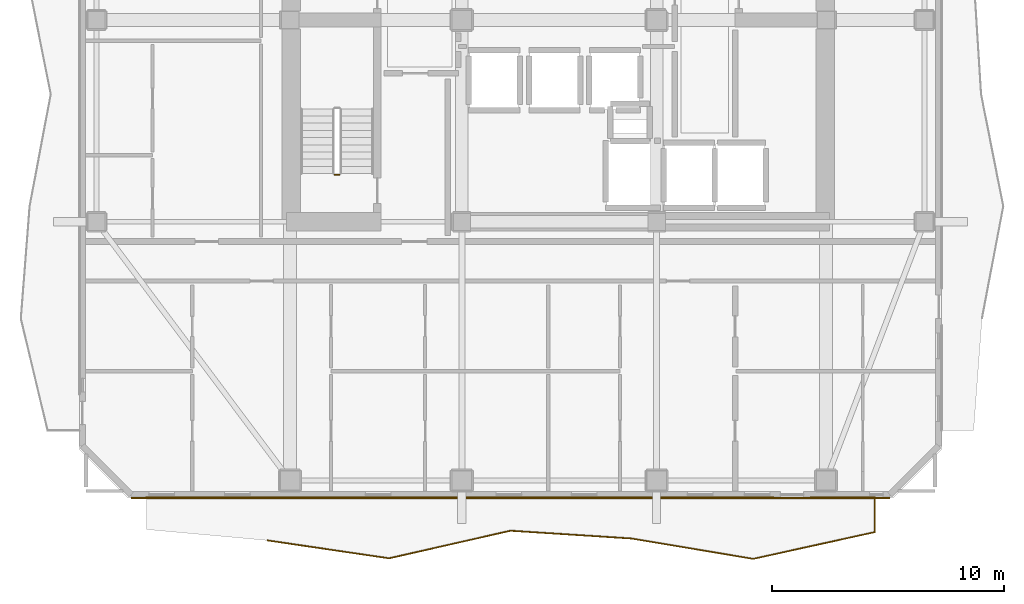
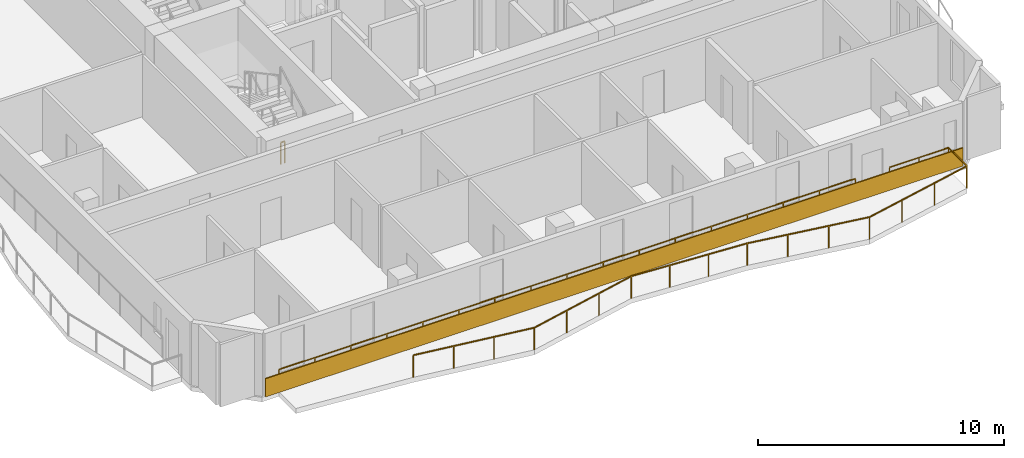
# One storey, part 7 of 10: 3 railings, 1 covering.
"""IFC4 building model written with IfcOpenShell, lengths in metres."""

from ifc_helpers import new_model, si_unit, direction, frame, frame_2d, origin, origin_2d, place, context, subcontext, project, spatial, rectangle, extrude, material, layer, layer_set, type_object, element, save


model = new_model("IFC4")

# Units and contexts
model_context = context("Model", 3, precision=1e-05, world=origin(), true_north=direction((0.0, 1.0)))
body_context = subcontext(model_context, "Body", "Model", "MODEL_VIEW")
ifc_project = project(units=[si_unit("LENGTHUNIT", "METRE"), si_unit("AREAUNIT", "SQUARE_METRE"), si_unit("VOLUMEUNIT", "CUBIC_METRE"), si_unit("PLANEANGLEUNIT", "RADIAN"), si_unit("MASSUNIT", "GRAM", prefix="KILO")], contexts=[model_context])

# Site, building, storey
site_placement = place(None, origin())
site = spatial("IfcSite", under=ifc_project, at=site_placement, CompositionType="ELEMENT")
building_placement = place(site_placement, origin())
building = spatial("IfcBuilding", under=site, at=building_placement, Name="Solanera Arch Residences", CompositionType="ELEMENT")
storey_placement = place(building_placement, frame((0.0, 0.0, 196.800048828125)))
storey = spatial("IfcBuildingStorey", under=building, at=storey_placement, Name="L57", CompositionType="ELEMENT", Elevation=196.800048828125)

# Railings
ifc_material_1 = material(Name="Steel S355 (ASTM A992 / A572 Grade 50)", Category="steel")
railing_type_1 = type_object("IfcRailingType", Name="Balustrade Railing BL-1100", PredefinedType="BALUSTRADE", material=ifc_material_1)
railing_1_placement = place(storey_placement, frame((12.43310546875, 8.261962890625, 0.0)))
element("IfcRailing", 1, at=railing_1_placement, inside=storey, type_object=railing_type_1, Name="L57 S Balcony Balustrade 1", PredefinedType="BALUSTRADE", context=body_context, shape_type="SweptSolid", body=[
    extrude(rectangle(XDim=0.048095703125, YDim=0.048095703125, at=origin_2d()), frame((0.0, 0.0, 1.09619140625), z_axis=(0.989323547142, -0.145735785142, 0.0), x_axis=(0.145735785142, 0.989323547142, 0.0)), (0.0, 0.0, 1.0), 5.290283203125),
    extrude(rectangle(XDim=0.048095703125, YDim=0.048095703125, at=origin_2d()), frame((5.23388671875, -0.77099609375, 1.09619140625), z_axis=(0.975106929466, 0.221735148559, 0.0), x_axis=(-0.221735148559, 0.975106929466, 0.0)), (0.0, 0.0, 1.0), 5.366455078125),
    extrude(rectangle(XDim=0.048095703125, YDim=0.048095703125, at=origin_2d()), frame((10.466796875, 0.4189453125, 1.09619140625), z_axis=(0.997933983965, -0.064247674265, 0.0), x_axis=(0.064247674265, 0.997933983965, 0.0)), (0.0, 0.0, 1.0), 5.243896484375),
    extrude(rectangle(XDim=0.048095703125, YDim=0.048095703125, at=origin_2d()), frame((15.699951171875, 0.08203125, 1.09619140625), z_axis=(0.986281788233, -0.165070391649, 0.0), x_axis=(0.165070391649, 0.986281788233, 0.0)), (0.0, 0.0, 1.0), 5.306640625),
    extrude(rectangle(XDim=0.048095703125, YDim=0.048095703125, at=origin_2d()), frame((20.933837890625, -0.7939453125, 1.09619140625), z_axis=(0.976574624014, 0.215179003929, 0.0), x_axis=(-0.215179003929, 0.976574624014, 0.0)), (0.0, 0.0, 1.0), 5.358642578125),
    extrude(rectangle(XDim=0.048095703125, YDim=0.048095703125, at=origin_2d()), frame((26.1669921875, 0.359130859375, 1.09619140625), z_axis=(0.0, 1.0, 0.0), x_axis=(-1.0, 0.0, 0.0)), (0.0, 0.0, 1.0), 1.4990234375),
    extrude(rectangle(XDim=0.048095703125, YDim=0.048095703125, at=origin_2d()), frame((26.1669921875, 1.858154296875, 1.09619140625), z_axis=(-1.0, 0.0, 0.0), x_axis=(0.0, -1.0, 0.0)), (0.0, 0.0, 1.0), 2.76611328125),
    extrude(rectangle(XDim=0.0419921875, YDim=0.0419921875, at=origin_2d()), origin(), (0.0, 0.0, 1.0), 1.072021484375),
    extrude(rectangle(XDim=0.0419921875, YDim=0.0419921875, at=origin_2d()), frame((1.74462890625, -0.257080078125, 0.0)), (0.0, 0.0, 1.0), 1.072021484375),
    extrude(rectangle(XDim=0.0419921875, YDim=0.0419921875, at=origin_2d()), frame((3.4892578125, -0.513916015625, 0.0)), (0.0, 0.0, 1.0), 1.072021484375),
    extrude(rectangle(XDim=0.0419921875, YDim=0.0419921875, at=origin_2d()), frame((5.23388671875, -0.77099609375, 0.0)), (0.0, 0.0, 1.0), 1.072021484375),
    extrude(rectangle(XDim=0.0419921875, YDim=0.0419921875, at=origin_2d()), frame((6.978271484375, -0.374267578125, 0.0)), (0.0, 0.0, 1.0), 1.072021484375),
    extrude(rectangle(XDim=0.0419921875, YDim=0.0419921875, at=origin_2d()), frame((8.722412109375, 0.022216796875, 0.0)), (0.0, 0.0, 1.0), 1.072021484375),
    extrude(rectangle(XDim=0.0419921875, YDim=0.0419921875, at=origin_2d()), frame((10.466796875, 0.4189453125, 0.0)), (0.0, 0.0, 1.0), 1.072021484375),
    extrude(rectangle(XDim=0.0419921875, YDim=0.0419921875, at=origin_2d()), frame((12.211181640625, 0.306640625, 0.0)), (0.0, 0.0, 1.0), 1.072021484375),
    extrude(rectangle(XDim=0.0419921875, YDim=0.0419921875, at=origin_2d()), frame((13.95556640625, 0.1943359375, 0.0)), (0.0, 0.0, 1.0), 1.072021484375),
    extrude(rectangle(XDim=0.0419921875, YDim=0.0419921875, at=origin_2d()), frame((15.699951171875, 0.08203125, 0.0)), (0.0, 0.0, 1.0), 1.072021484375),
    extrude(rectangle(XDim=0.0419921875, YDim=0.0419921875, at=origin_2d()), frame((17.444580078125, -0.2099609375, 0.0)), (0.0, 0.0, 1.0), 1.072021484375),
    extrude(rectangle(XDim=0.0419921875, YDim=0.0419921875, at=origin_2d()), frame((19.189208984375, -0.501953125, 0.0)), (0.0, 0.0, 1.0), 1.072021484375),
    extrude(rectangle(XDim=0.0419921875, YDim=0.0419921875, at=origin_2d()), frame((20.933837890625, -0.7939453125, 0.0)), (0.0, 0.0, 1.0), 1.072021484375),
    extrude(rectangle(XDim=0.0419921875, YDim=0.0419921875, at=origin_2d()), frame((22.67822265625, -0.40966796875, 0.0)), (0.0, 0.0, 1.0), 1.072021484375),
    extrude(rectangle(XDim=0.0419921875, YDim=0.0419921875, at=origin_2d()), frame((24.422607421875, -0.025146484375, 0.0)), (0.0, 0.0, 1.0), 1.072021484375),
    extrude(rectangle(XDim=0.0419921875, YDim=0.0419921875, at=origin_2d()), frame((26.1669921875, 0.359130859375, 0.0)), (0.0, 0.0, 1.0), 1.072021484375),
    extrude(rectangle(XDim=0.0419921875, YDim=0.0419921875, at=origin_2d()), frame((26.1669921875, 1.858154296875, 0.0)), (0.0, 0.0, 1.0), 1.072021484375),
    extrude(rectangle(XDim=0.0419921875, YDim=0.0419921875, at=origin_2d()), frame((24.783935546875, 1.858154296875, 0.0)), (0.0, 0.0, 1.0), 1.072021484375),
    extrude(rectangle(XDim=0.0419921875, YDim=0.0419921875, at=origin_2d()), frame((23.40087890625, 1.858154296875, 0.0)), (0.0, 0.0, 1.0), 1.072021484375),
])
railing_2_placement = place(storey_placement, frame((34.23388671875, 10.1201171875, 0.0)))
element("IfcRailing", 2, at=railing_2_placement, inside=storey, type_object=railing_type_1, Name="L57 S Balcony Balustrade 2", PredefinedType="BALUSTRADE", context=body_context, shape_type="SweptSolid", body=[
    extrude(rectangle(XDim=0.048095703125, YDim=0.048095703125, at=origin_2d()), frame((0.0, 0.0, 1.09619140625), z_axis=(-1.0, 0.0, 0.0), x_axis=(0.0, -1.0, 0.0)), (0.0, 0.0, 1.0), 27.033935546875),
    extrude(rectangle(XDim=0.0419921875, YDim=0.0419921875, at=origin_2d()), origin(), (0.0, 0.0, 1.0), 1.072021484375),
    extrude(rectangle(XDim=0.0419921875, YDim=0.0419921875, at=origin_2d()), frame((-1.689697265625, 0.0, 0.0)), (0.0, 0.0, 1.0), 1.072021484375),
    extrude(rectangle(XDim=0.0419921875, YDim=0.0419921875, at=origin_2d()), frame((-3.379150390625, 0.0, 0.0)), (0.0, 0.0, 1.0), 1.072021484375),
    extrude(rectangle(XDim=0.0419921875, YDim=0.0419921875, at=origin_2d()), frame((-5.06884765625, 0.0, 0.0)), (0.0, 0.0, 1.0), 1.072021484375),
    extrude(rectangle(XDim=0.0419921875, YDim=0.0419921875, at=origin_2d()), frame((-6.758544921875, 0.0, 0.0)), (0.0, 0.0, 1.0), 1.072021484375),
    extrude(rectangle(XDim=0.0419921875, YDim=0.0419921875, at=origin_2d()), frame((-8.447998046875, 0.0, 0.0)), (0.0, 0.0, 1.0), 1.072021484375),
    extrude(rectangle(XDim=0.0419921875, YDim=0.0419921875, at=origin_2d()), frame((-10.1376953125, 0.0, 0.0)), (0.0, 0.0, 1.0), 1.072021484375),
    extrude(rectangle(XDim=0.0419921875, YDim=0.0419921875, at=origin_2d()), frame((-11.827392578125, 0.0, 0.0)), (0.0, 0.0, 1.0), 1.072021484375),
    extrude(rectangle(XDim=0.0419921875, YDim=0.0419921875, at=origin_2d()), frame((-13.51708984375, 0.0, 0.0)), (0.0, 0.0, 1.0), 1.072021484375),
    extrude(rectangle(XDim=0.0419921875, YDim=0.0419921875, at=origin_2d()), frame((-15.20654296875, 0.0, 0.0)), (0.0, 0.0, 1.0), 1.072021484375),
    extrude(rectangle(XDim=0.0419921875, YDim=0.0419921875, at=origin_2d()), frame((-16.896240234375, 0.0, 0.0)), (0.0, 0.0, 1.0), 1.072021484375),
    extrude(rectangle(XDim=0.0419921875, YDim=0.0419921875, at=origin_2d()), frame((-18.5859375, 0.0, 0.0)), (0.0, 0.0, 1.0), 1.072021484375),
    extrude(rectangle(XDim=0.0419921875, YDim=0.0419921875, at=origin_2d()), frame((-20.275390625, 0.0, 0.0)), (0.0, 0.0, 1.0), 1.072021484375),
    extrude(rectangle(XDim=0.0419921875, YDim=0.0419921875, at=origin_2d()), frame((-21.965087890625, 0.0, 0.0)), (0.0, 0.0, 1.0), 1.072021484375),
    extrude(rectangle(XDim=0.0419921875, YDim=0.0419921875, at=origin_2d()), frame((-23.65478515625, 0.0, 0.0)), (0.0, 0.0, 1.0), 1.072021484375),
    extrude(rectangle(XDim=0.0419921875, YDim=0.0419921875, at=origin_2d()), frame((-25.34423828125, 0.0, 0.0)), (0.0, 0.0, 1.0), 1.072021484375),
    extrude(rectangle(XDim=0.0419921875, YDim=0.0419921875, at=origin_2d()), frame((-27.033935546875, 0.0, 0.0)), (0.0, 0.0, 1.0), 1.072021484375),
])

# Covering
ifc_material_2 = material(Name="Philippine Adobe Travertine Cladding", Category="masonry")
ifc_layer = layer(ifc_material_2, 0.06005859375)
ifc_layer_set = layer_set([ifc_layer], Name="Philippine Adobe Travertine Cladding")
covering_type = type_object("IfcCoveringType", Name="Precast Pier Stone Cladding CLD-60", PredefinedType="CLADDING", material=ifc_layer_set)
covering_placement = place(storey_placement, frame((39.2548828125, 10.0849609375, 0.0), z_axis=(0.0, 0.0, 1.0), x_axis=(-1.0, 0.0, 0.0)))
element("IfcCovering", 3, at=covering_placement, inside=storey, type_object=covering_type, Name="L57 S Precast Spandrel Stone Band", PredefinedType="CLADDING", context=body_context, shape_type="SweptSolid", body=[
    extrude(rectangle(XDim=32.7099609375, YDim=0.06005859375, at=frame_2d((16.35498046875, 0.0))), origin(), (0.0, 0.0, 1.0), 0.89990234375),
])

# Railing
ifc_material_3 = material(Name="Steel S355 (ASTM A992 / A572 Grade 50)", Category="steel")
railing_type_2 = type_object("IfcRailingType", Name="Stair Guardrail GR-1100", PredefinedType="GUARDRAIL", material=ifc_material_3)
railing_3_placement = place(storey_placement, frame((15.52001953125, 24.030029296875, -0.01513671875)))
element("IfcRailing", 4, at=railing_3_placement, inside=storey, type_object=railing_type_2, Name="L57 ST-T3 stair guard 4", PredefinedType="GUARDRAIL", context=body_context, shape_type="SweptSolid", body=[
    extrude(rectangle(XDim=0.048095703125, YDim=0.048095703125, at=origin_2d()), frame((0.0, 0.0, 1.076171875), z_axis=(-1.0, 0.0, 0.0), x_axis=(0.0, -1.0, 0.0)), (0.0, 0.0, 1.0), 0.199951171875),
    extrude(rectangle(XDim=0.0419921875, YDim=0.0419921875, at=origin_2d()), origin(), (0.0, 0.0, 1.0), 1.052001953125),
    extrude(rectangle(XDim=0.0419921875, YDim=0.0419921875, at=origin_2d()), frame((-0.199951171875, 0.0, 0.0)), (0.0, 0.0, 1.0), 1.052001953125),
])

save(model, "model.ifc")
